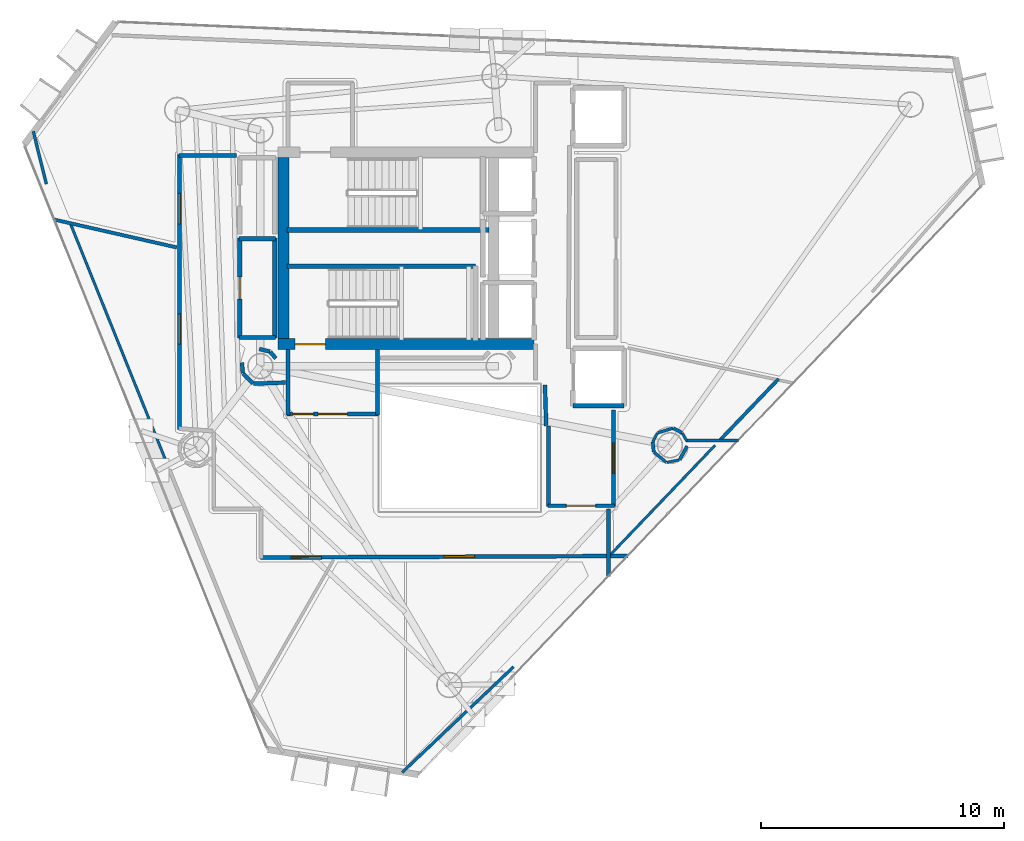
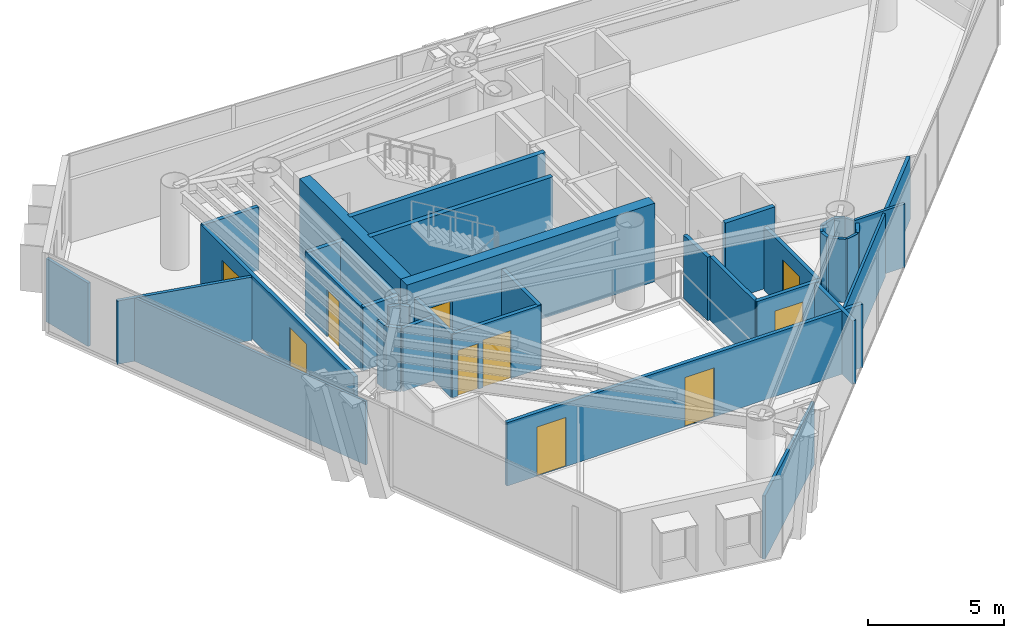
# One storey, part 15 of 21: 40 walls, 10 doors, 10 openings.
"""IFC4 building model written with IfcOpenShell, lengths in metres."""

from ifc_helpers import new_model, si_unit, direction, frame, frame_2d, origin, place, context, subcontext, project, spatial, rectangle, extrude, material, layer, layer_set, type_object, element, fill, save


model = new_model("IFC4")

# Units and contexts
model_context = context("Model", 3, precision=1e-05, world=origin(), true_north=direction((0.0, 1.0)))
body_context = subcontext(model_context, "Body", "Model", "MODEL_VIEW")
ifc_project = project(units=[si_unit("LENGTHUNIT", "METRE"), si_unit("AREAUNIT", "SQUARE_METRE"), si_unit("VOLUMEUNIT", "CUBIC_METRE"), si_unit("PLANEANGLEUNIT", "RADIAN"), si_unit("MASSUNIT", "GRAM", prefix="KILO")], contexts=[model_context])

# Site, building, storey
site_placement = place(None, origin())
site = spatial("IfcSite", under=ifc_project, at=site_placement, CompositionType="ELEMENT")
building_placement = place(site_placement, origin())
building = spatial("IfcBuilding", under=site, at=building_placement, Name="Qianvela Tower", CompositionType="ELEMENT")
storey_placement = place(building_placement, frame((0.0, 0.0, 242.699951171875)))
storey = spatial("IfcBuildingStorey", under=building, at=storey_placement, Name="L62", CompositionType="ELEMENT", Elevation=242.699951171875)

# Wall, opening, door
ifc_material_1 = material(Name="Concrete C50", Category="concrete")
ifc_layer_1 = layer(ifc_material_1, 0.449951171875)
ifc_layer_set_1 = layer_set([ifc_layer_1], Name="Concrete C50")
wall_type_1 = type_object("IfcWallType", Name="WT-CORE-450", PredefinedType="SHEAR", material=ifc_layer_set_1)
wall_1_placement = place(storey_placement, frame((29.330078125, 24.7548828125, 0.0), z_axis=(0.0, 0.0, 1.0), x_axis=(1.0, 0.0, 0.0)))
wall_1 = element("IfcWall", 1, at=wall_1_placement, inside=storey, type_object=wall_type_1, Name="L62 South Core Shear Wall", PredefinedType="SHEAR", context=body_context, shape_type="SweptSolid", body=[
    extrude(rectangle(XDim=10.52001953125, YDim=0.449951171875, at=frame_2d((5.260009765625, 0.0))), origin(), (0.0, 0.0, 1.0), 3.52001953125),
])
opening_1_placement = place(wall_1_placement, frame((0.695068359375, 0.0, 0.0)))
opening_1 = element("IfcOpeningElement", 2, at=opening_1_placement, cuts=wall_1, Name="Opening D-ST1", PredefinedType="OPENING", context=body_context, shape_type="SweptSolid", body=[
    extrude(rectangle(XDim=1.25, YDim=2.14990234375, at=frame_2d((0.625, 1.074951171875))), frame((0.0, 0.23486328125, 0.0), z_axis=(0.0, -1.0, 0.0), x_axis=(1.0, 0.0, 0.0)), (0.0, 0.0, 1.0), 0.469970703125),
])
ifc_material_2 = material(Name="Galvanised Fire Steel Q355B", Category="steel")
door_type_1 = type_object("IfcDoorType", Name="DT-STAIR-FD90", OperationType="NOTDEFINED", PredefinedType="DOOR", material=ifc_material_2)
door_1_placement = place(opening_1_placement, origin())
door_1 = element("IfcDoor", 3, at=door_1_placement, inside=storey, type_object=door_type_1, Name="L62 Stair ST-2 Exit Door", OperationType="SINGLE_SWING_RIGHT", OverallHeight=2.14990234375, OverallWidth=1.25, PredefinedType="DOOR", context=body_context, shape_type="SweptSolid", body=[
    extrude(rectangle(XDim=1.25, YDim=2.14990234375, at=frame_2d((0.625, 1.074951171875))), frame((0.0, 0.02490234375, 0.0), z_axis=(0.0, -1.0, 0.0), x_axis=(1.0, 0.0, 0.0)), (0.0, 0.0, 1.0), 0.050048828125),
])
fill(opening_1, door_1)

# Wall
wall_2_placement = place(storey_placement, frame((29.554931640625, 24.97998046875, 0.0), z_axis=(0.0, 0.0, 1.0), x_axis=(0.0, 1.0, 0.0)))
element("IfcWall", 4, at=wall_2_placement, inside=storey, type_object=wall_type_1, Name="L62 West Core Shear Wall", PredefinedType="SHEAR", context=body_context, shape_type="SweptSolid", body=[
    extrude(rectangle(XDim=7.43994140625, YDim=0.449951171875, at=frame_2d((3.719970703125, 0.0))), origin(), (0.0, 0.0, 1.0), 3.52001953125),
])

# Wall, openings, doors
ifc_material_3 = material(Name="Fire-Rated Gypsum and Concrete Block", Category="concrete")
ifc_layer_2 = layer(ifc_material_3, 0.159912109375)
ifc_layer_set_2 = layer_set([ifc_layer_2], Name="Fire-Rated Gypsum and Concrete Block")
wall_type_2 = type_object("IfcWallType", Name="WT-CORR-160", PredefinedType="PARTITIONING", material=ifc_layer_set_2)
wall_3_placement = place(storey_placement, frame((33.449951171875, 21.881103515625, 0.0), z_axis=(0.0, 0.0, 1.0), x_axis=(-1.0, 0.0, 0.0)))
wall_3 = element("IfcWall", 5, at=wall_3_placement, inside=storey, type_object=wall_type_2, Name="L62 Partition 5", PredefinedType="PARTITIONING", context=body_context, shape_type="SweptSolid", body=[
    extrude(rectangle(XDim=3.75, YDim=0.159912109375, at=frame_2d((1.875, 0.0))), origin(), (0.0, 0.0, 1.0), 2.840087890625),
])
opening_2_placement = place(wall_3_placement, frame((1.27490234375, 0.0, 0.0)))
opening_2 = element("IfcOpeningElement", 6, at=opening_2_placement, cuts=wall_3, Name="Opening D-LB1", PredefinedType="OPENING", context=body_context, shape_type="SweptSolid", body=[
    extrude(rectangle(XDim=1.199951171875, YDim=2.14990234375, at=frame_2d((0.60009765625, 1.074951171875))), frame((0.0, 0.08984375, 0.0), z_axis=(0.0, -1.0, 0.0), x_axis=(1.0, 0.0, 0.0)), (0.0, 0.0, 1.0), 0.179931640625),
])
opening_3_placement = place(wall_3_placement, frame((2.659912109375, 0.0, 0.0)))
opening_3 = element("IfcOpeningElement", 7, at=opening_3_placement, cuts=wall_3, Name="Opening D-LB2", PredefinedType="OPENING", context=body_context, shape_type="SweptSolid", body=[
    extrude(rectangle(XDim=0.860107421875, YDim=2.050048828125, at=frame_2d((0.43017578125, 1.02490234375))), frame((0.0, 0.08984375, 0.0), z_axis=(0.0, -1.0, 0.0), x_axis=(1.0, 0.0, 0.0)), (0.0, 0.0, 1.0), 0.179931640625),
])
ifc_material_4 = material(Name="Glazed Fire-Rated Steel Frame", Category="steel")
door_type_2 = type_object("IfcDoorType", Name="DT-LOBBY-FD90", OperationType="NOTDEFINED", PredefinedType="DOOR", material=ifc_material_4)
door_2_placement = place(opening_2_placement, origin())
door_2 = element("IfcDoor", 8, at=door_2_placement, inside=storey, type_object=door_type_2, Name="L62 Door L62 Firefighting Lobby South to L62 Floor Corridor", OperationType="SINGLE_SWING_RIGHT", OverallHeight=2.14990234375, OverallWidth=1.199951171875, PredefinedType="DOOR", context=body_context, shape_type="SweptSolid", body=[
    extrude(rectangle(XDim=1.199951171875, YDim=2.14990234375, at=frame_2d((0.60009765625, 1.074951171875))), frame((0.0, 0.02490234375, 0.0), z_axis=(0.0, -1.0, 0.0), x_axis=(1.0, 0.0, 0.0)), (0.0, 0.0, 1.0), 0.050048828125),
])
fill(opening_2, door_2)
ifc_material_5 = material(Name="Insulated Steel Fire Door Q355B", Category="steel")
door_type_3 = type_object("IfcDoorType", Name="DT-LOBBY-FD90-860", OperationType="NOTDEFINED", PredefinedType="DOOR", material=ifc_material_5)
door_3_placement = place(opening_3_placement, origin())
door_3 = element("IfcDoor", 9, at=door_3_placement, inside=storey, type_object=door_type_3, Name="L62 Door L62 Firefighting Lobby South to L62 Floor Corridor", OperationType="SINGLE_SWING_RIGHT", OverallHeight=2.050048828125, OverallWidth=0.860107421875, PredefinedType="DOOR", context=body_context, shape_type="SweptSolid", body=[
    extrude(rectangle(XDim=0.860107421875, YDim=2.050048828125, at=frame_2d((0.43017578125, 1.02490234375))), frame((0.0, 0.02490234375, 0.0), z_axis=(0.0, -1.0, 0.0), x_axis=(1.0, 0.0, 0.0)), (0.0, 0.0, 1.0), 0.050048828125),
])
fill(opening_3, door_3)

# Walls
for number, where, z_axis, x_axis, name in (
    (10, (29.73095703125, 21.85009765625, 0.0), (0.0, 0.0, 1.0), (0.0, 1.0, 0.0), "L62 Partition 6"),
    (11, (33.4189453125, 24.5419921875, 0.0), (0.0, 0.0, 1.0), (0.0, -1.0, 0.0), "L62 Partition 8"),
):
    element("IfcWall", number, at=place(storey_placement, frame(where, z_axis=z_axis, x_axis=x_axis)), inside=storey, type_object=wall_type_2, Name=name, PredefinedType="PARTITIONING", context=body_context, shape_type="SweptSolid", body=[
        extrude(rectangle(XDim=2.69189453125, YDim=0.159912109375, at=frame_2d((1.345947265625, 0.0))), origin(), (0.0, 0.0, 1.0), 2.840087890625),
    ])
wall_4_placement = place(storey_placement, frame((40.35107421875, 21.40087890625, 0.0), z_axis=(0.0, 0.0, 1.0), x_axis=(-0.031058045979, 0.999517582527, 0.0)))
element("IfcWall", 12, at=wall_4_placement, inside=storey, type_object=wall_type_2, Name="L62 Partition 9", PredefinedType="PARTITIONING", context=body_context, shape_type="SweptSolid", body=[
    extrude(rectangle(XDim=1.68212890625, YDim=0.159912109375, at=frame_2d((0.841064453125, 0.0))), origin(), (0.0, 0.0, 1.0), 2.840087890625),
])

# Wall, opening, door
wall_5_placement = place(storey_placement, frame((43.118896484375, 22.050048828125, 0.0), z_axis=(0.0, 0.0, 1.0), x_axis=(0.0, -1.0, 0.0)))
wall_5 = element("IfcWall", 13, at=wall_5_placement, inside=storey, type_object=wall_type_2, Name="L62 Partition 16", PredefinedType="PARTITIONING", context=body_context, shape_type="SweptSolid", body=[
    extrude(rectangle(XDim=3.969970703125, YDim=0.159912109375, at=frame_2d((1.98486328125, 0.0))), origin(), (0.0, 0.0, 1.0), 2.840087890625),
])
opening_4_placement = place(wall_5_placement, frame((1.360107421875, 0.0, 0.0)))
opening_4 = element("IfcOpeningElement", 14, at=opening_4_placement, cuts=wall_5, Name="Opening D-LG1", PredefinedType="OPENING", context=body_context, shape_type="SweptSolid", body=[
    extrude(rectangle(XDim=1.25, YDim=2.199951171875, at=frame_2d((0.625, 1.10009765625))), frame((0.0, 0.08984375, 0.0), z_axis=(0.0, -1.0, 0.0), x_axis=(1.0, 0.0, 0.0)), (0.0, 0.0, 1.0), 0.179931640625),
])
ifc_material_6 = material(Name="Anodised Aluminium Acoustic Glass Door", Category="aluminium")
door_type_4 = type_object("IfcDoorType", Name="DT-LOUNGE-1250", OperationType="NOTDEFINED", PredefinedType="DOOR", material=ifc_material_6)
door_4_placement = place(opening_4_placement, origin())
door_4 = element("IfcDoor", 15, at=door_4_placement, inside=storey, type_object=door_type_4, Name="L62 Door Student Fitness Gym L62-04 to L62 Lift Lobby", OperationType="SINGLE_SWING_RIGHT", OverallHeight=2.199951171875, OverallWidth=1.25, PredefinedType="DOOR", context=body_context, shape_type="SweptSolid", body=[
    extrude(rectangle(XDim=1.25, YDim=2.199951171875, at=frame_2d((0.625, 1.10009765625))), frame((0.0, 0.02490234375, 0.0), z_axis=(0.0, -1.0, 0.0), x_axis=(1.0, 0.0, 0.0)), (0.0, 0.0, 1.0), 0.050048828125),
])
fill(opening_4, door_4)

wall_6_placement = place(storey_placement, frame((43.14990234375, 18.111083984375, 0.0), z_axis=(0.0, 0.0, 1.0), x_axis=(-1.0, 0.0, 0.0)))
wall_6 = element("IfcWall", 16, at=wall_6_placement, inside=storey, type_object=wall_type_2, Name="L62 Partition 17", PredefinedType="PARTITIONING", context=body_context, shape_type="SweptSolid", body=[
    extrude(rectangle(XDim=2.72998046875, YDim=0.159912109375, at=frame_2d((1.364990234375, 0.0))), origin(), (0.0, 0.0, 1.0), 2.840087890625),
])
opening_5_placement = place(wall_6_placement, frame((0.764892578125, 0.0, 0.0)))
opening_5 = element("IfcOpeningElement", 17, at=opening_5_placement, cuts=wall_6, Name="Opening D-LB1", PredefinedType="OPENING", context=body_context, shape_type="SweptSolid", body=[
    extrude(rectangle(XDim=1.199951171875, YDim=2.14990234375, at=frame_2d((0.60009765625, 1.074951171875))), frame((0.0, 0.08984375, 0.0), z_axis=(0.0, -1.0, 0.0), x_axis=(1.0, 0.0, 0.0)), (0.0, 0.0, 1.0), 0.179931640625),
])
door_5_placement = place(opening_5_placement, origin())
door_5 = element("IfcDoor", 18, at=door_5_placement, inside=storey, type_object=door_type_2, Name="L62 Door L62 Lift Lobby to L62 Floor Corridor", OperationType="SINGLE_SWING_LEFT", OverallHeight=2.14990234375, OverallWidth=1.199951171875, PredefinedType="DOOR", context=body_context, shape_type="SweptSolid", body=[
    extrude(rectangle(XDim=1.199951171875, YDim=2.14990234375, at=frame_2d((0.60009765625, 1.074951171875))), frame((0.0, 0.02490234375, 0.0), z_axis=(0.0, -1.0, 0.0), x_axis=(1.0, 0.0, 0.0)), (0.0, 0.0, 1.0), 0.050048828125),
])
fill(opening_5, door_5)

# Walls
wall_7_placement = place(storey_placement, frame((40.450927734375, 18.080078125, 0.0), z_axis=(0.0, 0.0, 1.0), x_axis=(0.0, 1.0, 0.0)))
element("IfcWall", 19, at=wall_7_placement, inside=storey, type_object=wall_type_2, Name="L62 Partition 18 seg 1", PredefinedType="PARTITIONING", context=body_context, shape_type="SweptSolid", body=[
    extrude(rectangle(XDim=3.31982421875, YDim=0.159912109375, at=frame_2d((1.659912109375, 0.0))), origin(), (0.0, 0.0, 1.0), 2.840087890625),
])
wall_8_placement = place(storey_placement, frame((29.236083984375, 24.170166015625, 0.0), z_axis=(0.0, 0.0, 1.0), x_axis=(-0.652260263346, 0.757995084984, 0.0)))
element("IfcWall", 20, at=wall_8_placement, inside=storey, type_object=wall_type_2, Name="L62 Partition 35", PredefinedType="PARTITIONING", context=body_context, shape_type="SweptSolid", body=[
    extrude(rectangle(XDim=0.35546875, YDim=0.159912109375, at=frame_2d((0.177734375, 0.0))), origin(), (0.0, 0.0, 1.0), 2.840087890625),
])
wall_9_placement = place(storey_placement, frame((28.98828125, 24.44970703125, 0.0), z_axis=(0.0, 0.0, 1.0), x_axis=(-0.968704505916, 0.248216800836, 0.0)))
element("IfcWall", 21, at=wall_9_placement, inside=storey, type_object=wall_type_2, Name="L62 Partition 36", PredefinedType="PARTITIONING", context=body_context, shape_type="SweptSolid", body=[
    extrude(rectangle(XDim=0.444580078125, YDim=0.159912109375, at=frame_2d((0.22216796875, 0.0))), origin(), (0.0, 0.0, 1.0), 2.840087890625),
])
wall_10_placement = place(storey_placement, frame((27.83837890625, 23.9921875, 0.0), z_axis=(0.0, 0.0, 1.0), x_axis=(0.098273407977, -0.995159453196, 0.0)))
element("IfcWall", 22, at=wall_10_placement, inside=storey, type_object=wall_type_2, Name="L62 Partition 50", PredefinedType="PARTITIONING", context=body_context, shape_type="SweptSolid", body=[
    extrude(rectangle(XDim=0.432373046875, YDim=0.159912109375, at=frame_2d((0.21630859375, 0.0))), origin(), (0.0, 0.0, 1.0), 2.840087890625),
])
wall_11_placement = place(storey_placement, frame((27.889892578125, 23.54296875, 0.0), z_axis=(0.0, 0.0, 1.0), x_axis=(0.707106781187, -0.707106781187, 0.0)))
element("IfcWall", 23, at=wall_11_placement, inside=storey, type_object=wall_type_2, Name="L62 Partition 51", PredefinedType="PARTITIONING", context=body_context, shape_type="SweptSolid", body=[
    extrude(rectangle(XDim=0.570068359375, YDim=0.159912109375, at=frame_2d((0.28515625, 0.0))), origin(), (0.0, 0.0, 1.0), 2.840087890625),
])
wall_12_placement = place(storey_placement, frame((28.31591796875, 23.130615234375, 0.0), z_axis=(0.0, 0.0, 1.0), x_axis=(0.999405342193, 0.034481328227, 0.0)))
element("IfcWall", 24, at=wall_12_placement, inside=storey, type_object=wall_type_2, Name="L62 Partition 52", PredefinedType="PARTITIONING", context=body_context, shape_type="SweptSolid", body=[
    extrude(rectangle(XDim=1.323974609375, YDim=0.159912109375, at=frame_2d((0.662109375, 0.0))), origin(), (0.0, 0.0, 1.0), 2.840087890625),
])
wall_13_placement = place(storey_placement, frame((42.9189453125, 17.97998046875, 0.0), z_axis=(0.0, 0.0, 1.0), x_axis=(0.0, -1.0, 0.0)))
element("IfcWall", 25, at=wall_13_placement, inside=storey, type_object=wall_type_2, Name="L62 Partition 56", PredefinedType="PARTITIONING", context=body_context, shape_type="SweptSolid", body=[
    extrude(rectangle(XDim=2.773681640625, YDim=0.159912109375, at=frame_2d((1.38671875, 0.0))), origin(), (0.0, 0.0, 1.0), 2.840087890625),
])

# Wall, openings, doors
wall_14_placement = place(storey_placement, frame((43.722412109375, 16.04541015625, 0.0), z_axis=(0.0, 0.0, 1.0), x_axis=(-0.999990917582, -0.004262012887, 0.0)))
wall_14 = element("IfcWall", 26, at=wall_14_placement, inside=storey, type_object=wall_type_2, Name="L62 Partition 57", PredefinedType="PARTITIONING", context=body_context, shape_type="SweptSolid", body=[
    extrude(rectangle(XDim=15.122802734375, YDim=0.159912109375, at=frame_2d((7.5615234375, 0.0))), origin(), (0.0, 0.0, 1.0), 2.840087890625),
])
opening_6_placement = place(wall_14_placement, frame((12.611083984375, 0.0, 0.0)))
opening_6 = element("IfcOpeningElement", 27, at=opening_6_placement, cuts=wall_14, Name="Opening D-LG1", PredefinedType="OPENING", context=body_context, shape_type="SweptSolid", body=[
    extrude(rectangle(XDim=1.25, YDim=2.199951171875, at=frame_2d((0.625, 1.10009765625))), frame((0.0, 0.08984375, 0.0), z_axis=(0.0, -1.0, 0.0), x_axis=(1.0, 0.0, 0.0)), (0.0, 0.0, 1.0), 0.179931640625),
])
opening_7_placement = place(wall_14_placement, frame((6.314453125, 0.0, 0.0)))
opening_7 = element("IfcOpeningElement", 28, at=opening_7_placement, cuts=wall_14, Name="Opening D-LG1", PredefinedType="OPENING", context=body_context, shape_type="SweptSolid", body=[
    extrude(rectangle(XDim=1.25, YDim=2.199951171875, at=frame_2d((0.625, 1.10009765625))), frame((0.0, 0.08984375, 0.0), z_axis=(0.0, -1.0, 0.0), x_axis=(1.0, 0.0, 0.0)), (0.0, 0.0, 1.0), 0.179931640625),
])
door_6_placement = place(opening_6_placement, origin())
door_6 = element("IfcDoor", 29, at=door_6_placement, inside=storey, type_object=door_type_4, Name="L62 Door Project Huddle Conference L62-02 to L62 Floor Corridor", OperationType="SINGLE_SWING_RIGHT", OverallHeight=2.199951171875, OverallWidth=1.25, PredefinedType="DOOR", context=body_context, shape_type="SweptSolid", body=[
    extrude(rectangle(XDim=1.25, YDim=2.199951171875, at=frame_2d((0.625, 1.10009765625))), frame((0.0, 0.02490234375, 0.0), z_axis=(0.0, -1.0, 0.0), x_axis=(1.0, 0.0, 0.0)), (0.0, 0.0, 1.0), 0.050048828125),
])
fill(opening_6, door_6)
door_7_placement = place(opening_7_placement, origin())
door_7 = element("IfcDoor", 30, at=door_7_placement, inside=storey, type_object=door_type_4, Name="L62 Door Media Practice Cinema L62-03 to L62 Floor Corridor", OperationType="SINGLE_SWING_LEFT", OverallHeight=2.199951171875, OverallWidth=1.25, PredefinedType="DOOR", context=body_context, shape_type="SweptSolid", body=[
    extrude(rectangle(XDim=1.25, YDim=2.199951171875, at=frame_2d((0.625, 1.10009765625))), frame((0.0, 0.02490234375, 0.0), z_axis=(0.0, -1.0, 0.0), x_axis=(1.0, 0.0, 0.0)), (0.0, 0.0, 1.0), 0.050048828125),
])
fill(opening_7, door_7)

wall_15_placement = place(storey_placement, frame((25.281005859375, 21.253173828125, 0.0), z_axis=(0.0, 0.0, 1.0), x_axis=(0.0, 1.0, 0.0)))
wall_15 = element("IfcWall", 31, at=wall_15_placement, inside=storey, type_object=wall_type_2, Name="L62 Partition 62", PredefinedType="PARTITIONING", context=body_context, shape_type="SweptSolid", body=[
    extrude(rectangle(XDim=11.296875, YDim=0.159912109375, at=frame_2d((5.6484375, 0.0))), origin(), (0.0, 0.0, 1.0), 2.840087890625),
])
opening_8_placement = place(wall_15_placement, frame((3.5009765625, 0.0, 0.0)))
opening_8 = element("IfcOpeningElement", 32, at=opening_8_placement, cuts=wall_15, Name="Opening D-LG1", PredefinedType="OPENING", context=body_context, shape_type="SweptSolid", body=[
    extrude(rectangle(XDim=1.25, YDim=2.199951171875, at=frame_2d((0.625, 1.10009765625))), frame((0.0, 0.08984375, 0.0), z_axis=(0.0, -1.0, 0.0), x_axis=(1.0, 0.0, 0.0)), (0.0, 0.0, 1.0), 0.179931640625),
])
opening_9_placement = place(wall_15_placement, frame((8.449951171875, 0.0, 0.0)))
opening_9 = element("IfcOpeningElement", 33, at=opening_9_placement, cuts=wall_15, Name="Opening D-LG1", PredefinedType="OPENING", context=body_context, shape_type="SweptSolid", body=[
    extrude(rectangle(XDim=1.25, YDim=2.199951171875, at=frame_2d((0.625, 1.10009765625))), frame((0.0, 0.08984375, 0.0), z_axis=(0.0, -1.0, 0.0), x_axis=(1.0, 0.0, 0.0)), (0.0, 0.0, 1.0), 0.179931640625),
])
door_8_placement = place(opening_8_placement, origin())
door_8 = element("IfcDoor", 34, at=door_8_placement, inside=storey, type_object=door_type_4, Name="L62 Door Tutorial Breakout Seminar L62-01 to L62 Floor Corridor", OperationType="SINGLE_SWING_LEFT", OverallHeight=2.199951171875, OverallWidth=1.25, PredefinedType="DOOR", context=body_context, shape_type="SweptSolid", body=[
    extrude(rectangle(XDim=1.25, YDim=2.199951171875, at=frame_2d((0.625, 1.10009765625))), frame((0.0, 0.02490234375, 0.0), z_axis=(0.0, -1.0, 0.0), x_axis=(1.0, 0.0, 0.0)), (0.0, 0.0, 1.0), 0.050048828125),
])
fill(opening_8, door_8)
door_9_placement = place(opening_9_placement, origin())
door_9 = element("IfcDoor", 35, at=door_9_placement, inside=storey, type_object=door_type_4, Name="L62 Door Maker Craft Workshop L62-05 to L62 Floor Corridor", OperationType="SINGLE_SWING_LEFT", OverallHeight=2.199951171875, OverallWidth=1.25, PredefinedType="DOOR", context=body_context, shape_type="SweptSolid", body=[
    extrude(rectangle(XDim=1.25, YDim=2.199951171875, at=frame_2d((0.625, 1.10009765625))), frame((0.0, 0.02490234375, 0.0), z_axis=(0.0, -1.0, 0.0), x_axis=(1.0, 0.0, 0.0)), (0.0, 0.0, 1.0), 0.050048828125),
])
fill(opening_9, door_9)

# Walls
wall_16_placement = place(storey_placement, frame((25.25, 32.51904296875, 0.0), z_axis=(0.0, 0.0, 1.0), x_axis=(1.0, 0.0, 0.0)))
element("IfcWall", 36, at=wall_16_placement, inside=storey, type_object=wall_type_2, Name="L62 Partition 63", PredefinedType="PARTITIONING", context=body_context, shape_type="SweptSolid", body=[
    extrude(rectangle(XDim=2.3701171875, YDim=0.159912109375, at=frame_2d((1.18505859375, 0.0))), origin(), (0.0, 0.0, 1.0), 2.840087890625),
])
ifc_material_7 = material(Name="Lightweight Gypsum Room Partition")
ifc_layer_3 = layer(ifc_material_7, 0.10498046875)
ifc_layer_set_3 = layer_set([ifc_layer_3], Name="Lightweight Gypsum Room Partition")
wall_type_3 = type_object("IfcWallType", Name="WT-PART-105", PredefinedType="PARTITIONING", material=ifc_layer_set_3)
wall_17_placement = place(storey_placement, frame((24.825927734375, 19.68310546875, 0.0), z_axis=(0.0, 0.0, 1.0), x_axis=(-0.37331171628, 0.92770596769, 0.0)))
element("IfcWall", 37, at=wall_17_placement, inside=storey, type_object=wall_type_3, Name="L62 Partition 68", PredefinedType="PARTITIONING", context=body_context, shape_type="SweptSolid", body=[
    extrude(rectangle(XDim=10.885498046875, YDim=0.10498046875, at=frame_2d((5.44287109375, 0.0))), origin(), (0.0, 0.0, 1.0), 2.840087890625),
])
wall_18_placement = place(storey_placement, frame((46.12744140625, 20.771484375, 0.0), z_axis=(0.0, 0.0, 1.0), x_axis=(-0.483302691899, 0.875453315719, 0.0)))
element("IfcWall", 38, at=wall_18_placement, inside=storey, type_object=wall_type_3, Name="L62 Partition 89", PredefinedType="PARTITIONING", context=body_context, shape_type="SweptSolid", body=[
    extrude(rectangle(XDim=0.372314453125, YDim=0.10498046875, at=frame_2d((0.18603515625, 0.0))), origin(), (0.0, 0.0, 1.0), 2.840087890625),
])
wall_19_placement = place(storey_placement, frame((44.92431640625, 21.096923828125, 0.0), z_axis=(0.0, 0.0, 1.0), x_axis=(-0.471607834051, -0.881808398044, 0.0)))
element("IfcWall", 39, at=wall_19_placement, inside=storey, type_object=wall_type_3, Name="L62 Partition 92", PredefinedType="PARTITIONING", context=body_context, shape_type="SweptSolid", body=[
    extrude(rectangle(XDim=0.3974609375, YDim=0.10498046875, at=frame_2d((0.19873046875, 0.0))), origin(), (0.0, 0.0, 1.0), 2.840087890625),
])
wall_20_placement = place(storey_placement, frame((45.308349609375, 19.895751953125, 0.0), z_axis=(0.0, 0.0, 1.0), x_axis=(0.98077721036, 0.195130888481, 0.0)))
element("IfcWall", 40, at=wall_20_placement, inside=storey, type_object=wall_type_3, Name="L62 Partition 95", PredefinedType="PARTITIONING", context=body_context, shape_type="SweptSolid", body=[
    extrude(rectangle(XDim=0.524169921875, YDim=0.10498046875, at=frame_2d((0.26220703125, 0.0))), origin(), (0.0, 0.0, 1.0), 2.840087890625),
])
wall_21_placement = place(storey_placement, frame((47.297607421875, 20.60107421875, 0.0), z_axis=(0.0, 0.0, 1.0), x_axis=(-0.691236936223, -0.722628187937, 0.0)))
element("IfcWall", 41, at=wall_21_placement, inside=storey, type_object=wall_type_3, Name="L62 Partition 98", PredefinedType="PARTITIONING", context=body_context, shape_type="SweptSolid", body=[
    extrude(rectangle(XDim=6.206298828125, YDim=0.10498046875, at=frame_2d((3.10302734375, 0.0))), origin(), (0.0, 0.0, 1.0), 2.840087890625),
])
ifc_material_8 = material(Name="Insulated Gypsum Stud Partition")
ifc_layer_4 = layer(ifc_material_8, 0.1201171875)
ifc_layer_set_4 = layer_set([ifc_layer_4], Name="Insulated Gypsum Stud Partition")
wall_type_4 = type_object("IfcWallType", Name="WT-PART-120", PredefinedType="PARTITIONING", material=ifc_layer_set_4)
wall_22_placement = place(storey_placement, frame((39.0146484375, 11.49169921875, 0.0), z_axis=(0.0, 0.0, 1.0), x_axis=(-0.725951668787, -0.687745719424, 0.0)))
element("IfcWall", 42, at=wall_22_placement, inside=storey, type_object=wall_type_4, Name="L62 Partition 79 seg 1", PredefinedType="PARTITIONING", context=body_context, shape_type="SweptSolid", body=[
    extrude(rectangle(XDim=6.31982421875, YDim=0.1201171875, at=frame_2d((3.159912109375, 0.0))), origin(), (0.0, 0.0, 1.0), 2.840087890625),
])
wall_23_placement = place(storey_placement, frame((48.263671875, 20.79296875, 0.0), z_axis=(0.0, 0.0, 1.0), x_axis=(-0.999996918587, -0.002482501942, 0.0)))
element("IfcWall", 43, at=wall_23_placement, inside=storey, type_object=wall_type_4, Name="L62 Partition 88", PredefinedType="PARTITIONING", context=body_context, shape_type="SweptSolid", body=[
    extrude(rectangle(XDim=2.16357421875, YDim=0.1201171875, at=frame_2d((1.081787109375, 0.0))), origin(), (0.0, 0.0, 1.0), 2.840087890625),
])
wall_24_placement = place(storey_placement, frame((45.560546875, 21.299560546875, 0.0), z_axis=(0.0, 0.0, 1.0), x_axis=(-0.956916224704, -0.290364148784, 0.0)))
element("IfcWall", 44, at=wall_24_placement, inside=storey, type_object=wall_type_4, Name="L62 Partition 91", PredefinedType="PARTITIONING", context=body_context, shape_type="SweptSolid", body=[
    extrude(rectangle(XDim=0.645751953125, YDim=0.1201171875, at=frame_2d((0.32275390625, 0.0))), origin(), (0.0, 0.0, 1.0), 2.840087890625),
])
wall_25_placement = place(storey_placement, frame((44.783447265625, 20.31201171875, 0.0), z_axis=(0.0, 0.0, 1.0), x_axis=(0.772878500367, -0.634554035265, 0.0)))
element("IfcWall", 45, at=wall_25_placement, inside=storey, type_object=wall_type_4, Name="L62 Partition 94", PredefinedType="PARTITIONING", context=body_context, shape_type="SweptSolid", body=[
    extrude(rectangle(XDim=0.64599609375, YDim=0.1201171875, at=frame_2d((0.322998046875, 0.0))), origin(), (0.0, 0.0, 1.0), 2.840087890625),
])
wall_26_placement = place(storey_placement, frame((19.800048828125, 31.33984375, 0.0), z_axis=(0.0, 0.0, 1.0), x_axis=(-0.240187657444, 0.970726474972, 0.0)))
element("IfcWall", 46, at=wall_26_placement, inside=storey, type_object=wall_type_4, Name="L62 Partition 106 seg 1", PredefinedType="PARTITIONING", context=body_context, shape_type="SweptSolid", body=[
    extrude(rectangle(XDim=2.22705078125, YDim=0.1201171875, at=frame_2d((1.113525390625, 0.0))), origin(), (0.0, 0.0, 1.0), 2.840087890625),
])

# Wall, opening, door
ifc_material_9 = material(Name="Moisture-Resistant Acoustic Plumbing Wall")
ifc_layer_5 = layer(ifc_material_9, 0.175048828125)
ifc_layer_set_5 = layer_set([ifc_layer_5], Name="Moisture-Resistant Acoustic Plumbing Wall")
wall_type_5 = type_object("IfcWallType", Name="WT-PLUMB-175", PredefinedType="PLUMBINGWALL", material=ifc_layer_set_5)
wall_27_placement = place(storey_placement, frame((27.7509765625, 25.0, 0.0), z_axis=(0.0, 0.0, 1.0), x_axis=(0.0, 1.0, 0.0)))
wall_27 = element("IfcWall", 47, at=wall_27_placement, inside=storey, type_object=wall_type_5, Name="L62 Partition 23", PredefinedType="PLUMBINGWALL", context=body_context, shape_type="SweptSolid", body=[
    extrude(rectangle(XDim=4.1201171875, YDim=0.175048828125, at=frame_2d((2.06005859375, 0.0))), origin(), (0.0, 0.0, 1.0), 2.840087890625),
])
opening_10_placement = place(wall_27_placement, frame((1.610107421875, 0.0, 0.0)))
opening_10 = element("IfcOpeningElement", 48, at=opening_10_placement, cuts=wall_27, Name="Opening D-KT1", PredefinedType="OPENING", context=body_context, shape_type="SweptSolid", body=[
    extrude(rectangle(XDim=0.89990234375, YDim=2.10009765625, at=frame_2d((0.449951171875, 1.050048828125))), frame((0.0, 0.097412109375, 0.0), z_axis=(0.0, -1.0, 0.0), x_axis=(1.0, 0.0, 0.0)), (0.0, 0.0, 1.0), 0.195068359375),
])
ifc_material_10 = material(Name="Glazed Timber Kitchen Door", Category="wood")
door_type_5 = type_object("IfcDoorType", Name="DT-KITCH-900", OperationType="NOTDEFINED", PredefinedType="DOOR", material=ifc_material_10)
door_10_placement = place(opening_10_placement, origin())
door_10 = element("IfcDoor", 49, at=door_10_placement, inside=storey, type_object=door_type_5, Name="L62 Door L62 Core Tea Pantry West to L62 Floor Corridor", OperationType="SINGLE_SWING_RIGHT", OverallHeight=2.10009765625, OverallWidth=0.89990234375, PredefinedType="DOOR", context=body_context, shape_type="SweptSolid", body=[
    extrude(rectangle(XDim=0.89990234375, YDim=2.10009765625, at=frame_2d((0.449951171875, 1.050048828125))), frame((0.0, 0.02490234375, 0.0), z_axis=(0.0, -1.0, 0.0), x_axis=(1.0, 0.0, 0.0)), (0.0, 0.0, 1.0), 0.050048828125),
])
fill(opening_10, door_10)

# Walls
wall_28_placement = place(storey_placement, frame((27.719970703125, 29.089111328125, 0.0), z_axis=(0.0, 0.0, 1.0), x_axis=(1.0, 0.0, 0.0)))
element("IfcWall", 50, at=wall_28_placement, inside=storey, type_object=wall_type_5, Name="L62 Partition 24", PredefinedType="PLUMBINGWALL", context=body_context, shape_type="SweptSolid", body=[
    extrude(rectangle(XDim=1.5, YDim=0.175048828125, at=frame_2d((0.75, 0.0))), origin(), (0.0, 0.0, 1.0), 2.840087890625),
])
wall_29_placement = place(storey_placement, frame((29.18896484375, 29.1201171875, 0.0), z_axis=(0.0, 0.0, 1.0), x_axis=(0.0, -1.0, 0.0)))
element("IfcWall", 51, at=wall_29_placement, inside=storey, type_object=wall_type_5, Name="L62 Partition 25", PredefinedType="PLUMBINGWALL", context=body_context, shape_type="SweptSolid", body=[
    extrude(rectangle(XDim=4.1201171875, YDim=0.175048828125, at=frame_2d((2.06005859375, 0.0))), origin(), (0.0, 0.0, 1.0), 2.840087890625),
])
wall_30_placement = place(storey_placement, frame((29.219970703125, 25.031005859375, 0.0), z_axis=(0.0, 0.0, 1.0), x_axis=(-1.0, 0.0, 0.0)))
element("IfcWall", 52, at=wall_30_placement, inside=storey, type_object=wall_type_5, Name="L62 Partition 26", PredefinedType="PLUMBINGWALL", context=body_context, shape_type="SweptSolid", body=[
    extrude(rectangle(XDim=1.5, YDim=0.175048828125, at=frame_2d((0.75, 0.0))), origin(), (0.0, 0.0, 1.0), 2.840087890625),
])
ifc_material_11 = material(Name="Acoustic Double Gypsum Stud Partition")
ifc_layer_6 = layer(ifc_material_11, 0.139892578125)
ifc_layer_set_6 = layer_set([ifc_layer_6], Name="Acoustic Double Gypsum Stud Partition")
wall_type_6 = type_object("IfcWallType", Name="WT-ROOM-140", PredefinedType="PARTITIONING", material=ifc_layer_set_6)
wall_31_placement = place(storey_placement, frame((20.111083984375, 29.8798828125, 0.0), z_axis=(0.0, 0.0, 1.0), x_axis=(0.975101832546, -0.221757561686, 0.0)))
element("IfcWall", 53, at=wall_31_placement, inside=storey, type_object=wall_type_6, Name="L62 Partition 69", PredefinedType="PARTITIONING", context=body_context, shape_type="SweptSolid", body=[
    extrude(rectangle(XDim=5.180908203125, YDim=0.139892578125, at=frame_2d((2.59033203125, 0.0))), origin(), (0.0, 0.0, 1.0), 2.840087890625),
])
wall_32_placement = place(storey_placement, frame((49.906494140625, 23.32861328125, 0.0), z_axis=(0.0, 0.0, 1.0), x_axis=(-0.691208491713, -0.722655395735, 0.0)))
element("IfcWall", 54, at=wall_32_placement, inside=storey, type_object=wall_type_6, Name="L62 Partition 87", PredefinedType="PARTITIONING", context=body_context, shape_type="SweptSolid", body=[
    extrude(rectangle(XDim=3.524658203125, YDim=0.139892578125, at=frame_2d((1.76220703125, 0.0))), origin(), (0.0, 0.0, 1.0), 2.840087890625),
])
for number, where, z_axis, x_axis, name in (
    (55, (45.93505859375, 21.109619140625, 0.0), (0.0, 0.0, 1.0), (-0.881944865518, 0.471352579484, 0.0), "L62 Partition 90"),
    (56, (44.7333984375, 20.728515625, 0.0), (0.0, 0.0, 1.0), (0.097619118958, -0.995223847993, 0.0), "L62 Partition 93"),
):
    element("IfcWall", number, at=place(storey_placement, frame(where, z_axis=z_axis, x_axis=x_axis)), inside=storey, type_object=wall_type_6, Name=name, PredefinedType="PARTITIONING", context=body_context, shape_type="SweptSolid", body=[
        extrude(rectangle(XDim=0.397705078125, YDim=0.139892578125, at=frame_2d((0.19873046875, 0.0))), origin(), (0.0, 0.0, 1.0), 2.840087890625),
    ])
wall_33_placement = place(storey_placement, frame((45.84375, 20.013427734375, 0.0), z_axis=(0.0, 0.0, 1.0), x_axis=(0.482891725637, 0.875680067896, 0.0)))
element("IfcWall", 57, at=wall_33_placement, inside=storey, type_object=wall_type_6, Name="L62 Partition 96", PredefinedType="PARTITIONING", context=body_context, shape_type="SweptSolid", body=[
    extrude(rectangle(XDim=0.6259765625, YDim=0.139892578125, at=frame_2d((0.31298828125, 0.0))), origin(), (0.0, 0.0, 1.0), 2.840087890625),
])
ifc_material_12 = material(Name="Concrete C50", Category="concrete")
ifc_layer_7 = layer(ifc_material_12, 0.199951171875)
ifc_layer_set_7 = layer_set([ifc_layer_7], Name="Concrete C50")
wall_type_7 = type_object("IfcWallType", Name="WT-SHAFT-200", PredefinedType="SOLIDWALL", material=ifc_layer_set_7)
wall_34_placement = place(storey_placement, frame((29.699951171875, 29.449951171875, 0.0), z_axis=(0.0, 0.0, 1.0), x_axis=(1.0, 0.0, 0.0)))
element("IfcWall", 58, at=wall_34_placement, inside=storey, type_object=wall_type_7, Name="L62 Stair ST-1 South Wall", PredefinedType="SOLIDWALL", context=body_context, shape_type="SweptSolid", body=[
    extrude(rectangle(XDim=8.300048828125, YDim=0.199951171875, at=frame_2d((4.14990234375, 0.0))), origin(), (0.0, 0.0, 1.0), 3.52001953125),
])
wall_35_placement = place(storey_placement, frame((29.699951171875, 27.9599609375, 0.0), z_axis=(0.0, 0.0, 1.0), x_axis=(1.0, 0.0, 0.0)))
element("IfcWall", 59, at=wall_35_placement, inside=storey, type_object=wall_type_7, Name="L62 Stair ST-2 North Wall", PredefinedType="SOLIDWALL", context=body_context, shape_type="SweptSolid", body=[
    extrude(rectangle(XDim=7.75, YDim=0.199951171875, at=frame_2d((3.875, 0.0))), origin(), (0.0, 0.0, 1.0), 3.52001953125),
])
wall_36_placement = place(storey_placement, frame((41.449951171875, 22.219970703125, 0.0), z_axis=(0.0, 0.0, 1.0), x_axis=(1.0, 0.0, 0.0)))
element("IfcWall", 60, at=wall_36_placement, inside=storey, type_object=wall_type_7, Name="L62 Lift PL-H2 S Shaft Wall", PredefinedType="SOLIDWALL", context=body_context, shape_type="SweptSolid", body=[
    extrude(rectangle(XDim=2.10009765625, YDim=0.199951171875, at=frame_2d((1.050048828125, 0.0))), origin(), (0.0, 0.0, 1.0), 3.52001953125),
])

save(model, "model.ifc")
